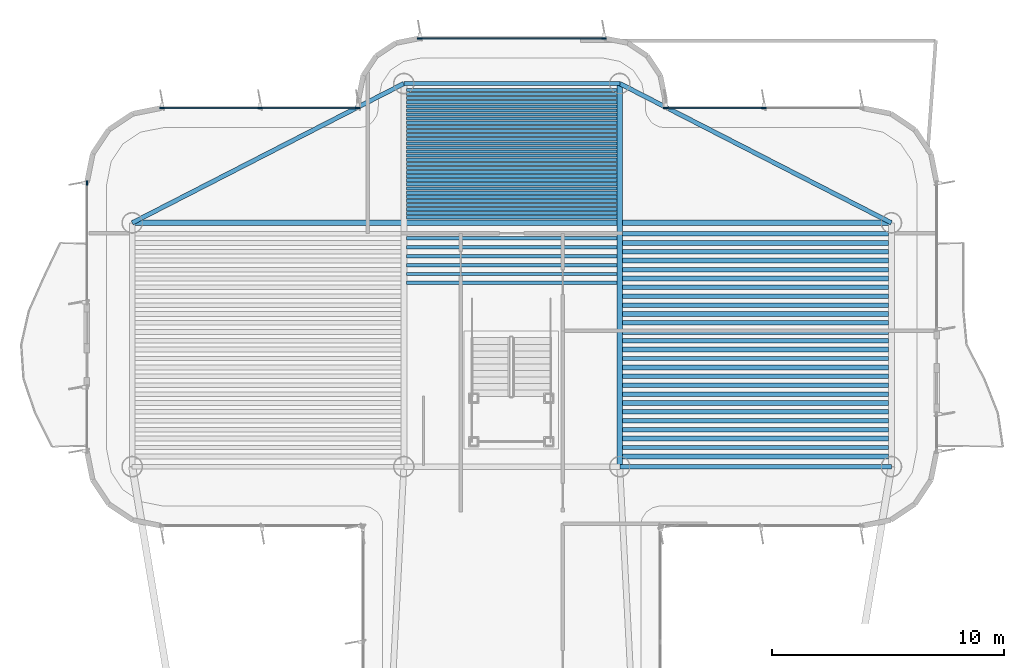
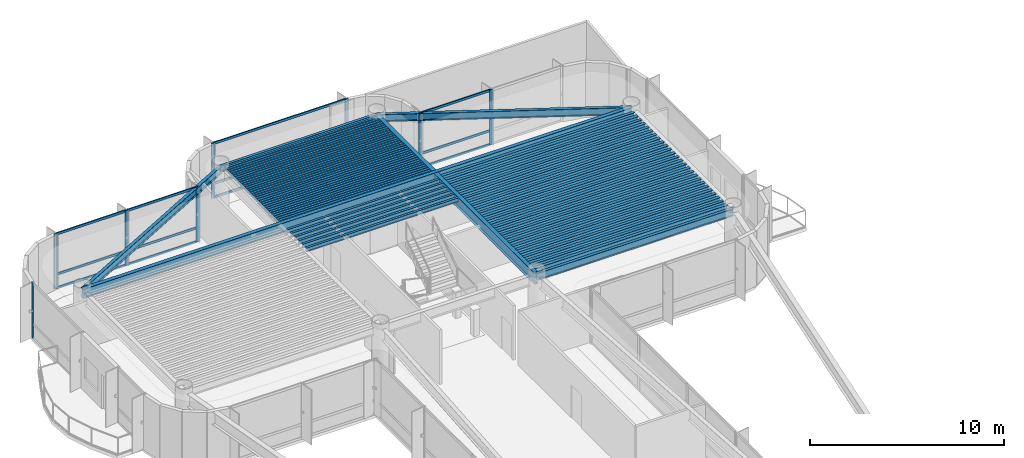
# One storey, part 7 of 17: 70 beams, 20 members, 4 elements without a shape of their own.
"""IFC4 building model written with IfcOpenShell, lengths in metres."""

from ifc_helpers import new_model, si_unit, direction, frame, origin, origin_2d, place, context, subcontext, project, spatial, rectangle, i_section, extrude, source, transform, mapped, material, layer, layer_set, material_profile, profile_set, type_object, element, aggregate, save


model = new_model("IFC4")

# Units and contexts
model_context = context("Model", 3, precision=1e-05, world=origin(), true_north=direction((0.0, 1.0)))
body_context = subcontext(model_context, "Body", "Model", "MODEL_VIEW")
ifc_project = project(units=[si_unit("LENGTHUNIT", "METRE"), si_unit("AREAUNIT", "SQUARE_METRE"), si_unit("VOLUMEUNIT", "CUBIC_METRE"), si_unit("PLANEANGLEUNIT", "RADIAN"), si_unit("MASSUNIT", "GRAM", prefix="KILO")], contexts=[model_context])

# Site, building, storey
site_placement = place(None, origin())
site = spatial("IfcSite", under=ifc_project, at=site_placement, CompositionType="ELEMENT")
building_placement = place(site_placement, origin())
building = spatial("IfcBuilding", under=site, at=building_placement, Name="Brelvock Crest Care Tower", CompositionType="ELEMENT")
storey_placement = place(building_placement, frame((0.0, 0.0, 287.280029296875)))
storey = spatial("IfcBuildingStorey", under=building, at=storey_placement, Name="L73", CompositionType="ELEMENT", Elevation=287.280029296875)

# Beams
ifc_material_1 = material(Name="Steel Grade 350", Category="steel")
ifc_material_profile_1 = material_profile(ifc_material_1, i_section(OverallWidth=0.177978515625, OverallDepth=0.406005859375, WebThickness=0.0078125, FlangeThickness=0.0126953125, FilletRadius=0.011474609375, at=origin_2d()), Name="410UB59.7")
ifc_profile_set_1 = profile_set([ifc_material_profile_1], Name="Steel Grade 350")
beam_type_1 = type_object("IfcBeamType", Name="BM-SP1", PredefinedType="SPANDREL", material=ifc_profile_set_1)
shared_shape_1 = source(origin(), body_context, "Body", "SweptSolid", [
    extrude(i_section(OverallWidth=0.177978515625, OverallDepth=0.406005859375, WebThickness=0.0078125, FlangeThickness=0.0126953125, FilletRadius=0.011474609375, at=origin_2d()), origin(), (0.0, 0.0, 1.0), 9.2998046875),
])
beam_1_placement = place(storey_placement, frame((31.35009765625, 60.449951171875, 3.257080078125), z_axis=(1.0, 0.0, 0.0), x_axis=(0.0, 1.0, 0.0)))
element("IfcBeam", 1, at=beam_1_placement, inside=storey, type_object=beam_type_1, Name="BM-TWR-L73-08", PredefinedType="SPANDREL", context=body_context, shape_type="MappedRepresentation", body=[
    mapped(shared_shape_1, transform((0.0, 0.0, 0.0), x_axis=(1.0, 0.0, 0.0), y_axis=(0.0, 1.0, 0.0), z_axis=(0.0, 0.0, 1.0), scale=1.0)),
])
ifc_material_profile_2 = material_profile(ifc_material_1, i_section(OverallWidth=0.14599609375, OverallDepth=0.256103515625, WebThickness=0.00634765625, FlangeThickness=0.010986328125, FilletRadius=0.0087890625, at=origin_2d()), Name="250UB37.3")
ifc_profile_set_2 = profile_set([ifc_material_profile_2], Name="Steel Grade 350")
beam_type_2 = type_object("IfcBeamType", Name="BM-J3", PredefinedType="JOIST", material=ifc_profile_set_2)
shared_shape_2 = source(origin(), body_context, "Body", "SweptSolid", [
    extrude(i_section(OverallWidth=0.14599609375, OverallDepth=0.256103515625, WebThickness=0.00634765625, FlangeThickness=0.010986328125, FilletRadius=0.0087890625, at=origin_2d()), origin(), (0.0, 0.0, 1.0), 9.06982421875),
])
for number, where, z_axis, x_axis, name in (
    (2, (31.465087890625, 51.864501953125, 3.33203125), (1.0, 0.0, 0.0), (0.0, 1.0, 0.0), "BM-JH-L73-20"),
    (3, (31.465087890625, 52.24755859375, 3.33203125), (1.0, 0.0, 0.0), (0.0, 1.0, 0.0), "BM-JH-L73-21"),
    (4, (31.465087890625, 52.630859375, 3.33203125), (1.0, 0.0, 0.0), (0.0, 1.0, 0.0), "BM-JH-L73-22"),
    (5, (31.465087890625, 53.01416015625, 3.33203125), (1.0, 0.0, 0.0), (0.0, 1.0, 0.0), "BM-JH-L73-23"),
    (6, (31.465087890625, 53.3974609375, 3.33203125), (1.0, 0.0, 0.0), (0.0, 1.0, 0.0), "BM-JH-L73-24"),
    (7, (31.465087890625, 53.780517578125, 3.33203125), (1.0, 0.0, 0.0), (0.0, 1.0, 0.0), "BM-JH-L73-25"),
    (8, (31.465087890625, 54.68994140625, 3.33203125), (1.0, 0.0, 0.0), (0.0, 1.0, 0.0), "BM-JN-L73-1"),
    (9, (31.465087890625, 54.866943359375, 3.33203125), (1.0, 0.0, 0.0), (0.0, 1.0, 0.0), "BM-JN-L73-2"),
    (10, (31.465087890625, 55.0439453125, 3.33203125), (1.0, 0.0, 0.0), (0.0, 1.0, 0.0), "BM-JN-L73-3"),
    (11, (31.465087890625, 55.220947265625, 3.33203125), (1.0, 0.0, 0.0), (0.0, 1.0, 0.0), "BM-JN-L73-4"),
    (12, (31.465087890625, 55.39794921875, 3.33203125), (1.0, 0.0, 0.0), (0.0, 1.0, 0.0), "BM-JN-L73-5"),
    (13, (31.465087890625, 55.574951171875, 3.33203125), (1.0, 0.0, 0.0), (0.0, 1.0, 0.0), "BM-JN-L73-6"),
    (14, (31.465087890625, 55.751953125, 3.33203125), (1.0, 0.0, 0.0), (0.0, 1.0, 0.0), "BM-JN-L73-7"),
    (15, (31.465087890625, 55.928955078125, 3.33203125), (1.0, 0.0, 0.0), (0.0, 1.0, 0.0), "BM-JN-L73-8"),
    (16, (31.465087890625, 56.10595703125, 3.33203125), (1.0, 0.0, 0.0), (0.0, 1.0, 0.0), "BM-JN-L73-9"),
    (17, (31.465087890625, 56.282958984375, 3.33203125), (1.0, 0.0, 0.0), (0.0, 1.0, 0.0), "BM-JN-L73-10"),
    (18, (31.465087890625, 56.4599609375, 3.33203125), (1.0, 0.0, 0.0), (0.0, 1.0, 0.0), "BM-JN-L73-11"),
    (19, (31.465087890625, 56.636962890625, 3.33203125), (1.0, 0.0, 0.0), (0.0, 1.0, 0.0), "BM-JN-L73-12"),
    (20, (31.465087890625, 56.81396484375, 3.33203125), (1.0, 0.0, 0.0), (0.0, 1.0, 0.0), "BM-JN-L73-13"),
):
    element("IfcBeam", number, at=place(storey_placement, frame(where, z_axis=z_axis, x_axis=x_axis)), inside=storey, type_object=beam_type_2, Name=name, PredefinedType="JOIST", context=body_context, shape_type="MappedRepresentation", body=[
        mapped(shared_shape_2, transform((0.0, 0.0, 0.0), x_axis=(1.0, 0.0, 0.0), y_axis=(0.0, 1.0, 0.0), z_axis=(0.0, 0.0, 1.0), scale=1.0)),
    ])
ifc_material_profile_3 = material_profile(ifc_material_1, i_section(OverallWidth=0.134033203125, OverallDepth=0.20703125, WebThickness=0.00634765625, FlangeThickness=0.009521484375, FilletRadius=0.0087890625, at=origin_2d()), Name="200UB29.8")
ifc_profile_set_3 = profile_set([ifc_material_profile_3], Name="Steel Grade 350")
beam_type_3 = type_object("IfcBeamType", Name="BM-J4", PredefinedType="JOIST", material=ifc_profile_set_3)
shared_shape_3 = source(origin(), body_context, "Body", "SweptSolid", [
    extrude(i_section(OverallWidth=0.134033203125, OverallDepth=0.20703125, WebThickness=0.00634765625, FlangeThickness=0.009521484375, FilletRadius=0.0087890625, at=origin_2d()), origin(), (0.0, 0.0, 1.0), 9.06982421875),
])
for number, where, z_axis, x_axis, name in (
    (21, (31.465087890625, 56.990966796875, 3.3564453125), (1.0, 0.0, 0.0), (0.0, 1.0, 0.0), "BM-JN-L73-14"),
    (22, (31.465087890625, 57.16796875, 3.3564453125), (1.0, 0.0, 0.0), (0.0, 1.0, 0.0), "BM-JN-L73-15"),
    (23, (31.465087890625, 57.344970703125, 3.3564453125), (1.0, 0.0, 0.0), (0.0, 1.0, 0.0), "BM-JN-L73-16"),
    (24, (31.465087890625, 57.52197265625, 3.3564453125), (1.0, 0.0, 0.0), (0.0, 1.0, 0.0), "BM-JN-L73-17"),
    (25, (31.465087890625, 57.698974609375, 3.3564453125), (1.0, 0.0, 0.0), (0.0, 1.0, 0.0), "BM-JN-L73-18"),
    (26, (31.465087890625, 57.8759765625, 3.3564453125), (1.0, 0.0, 0.0), (0.0, 1.0, 0.0), "BM-JN-L73-19"),
    (27, (31.465087890625, 58.052978515625, 3.3564453125), (1.0, 0.0, 0.0), (0.0, 1.0, 0.0), "BM-JN-L73-20"),
    (28, (31.465087890625, 58.22998046875, 3.3564453125), (1.0, 0.0, 0.0), (0.0, 1.0, 0.0), "BM-JN-L73-21"),
    (29, (31.465087890625, 58.406982421875, 3.3564453125), (1.0, 0.0, 0.0), (0.0, 1.0, 0.0), "BM-JN-L73-22"),
    (30, (31.465087890625, 58.583984375, 3.3564453125), (1.0, 0.0, 0.0), (0.0, 1.0, 0.0), "BM-JN-L73-23"),
    (31, (31.465087890625, 58.760986328125, 3.3564453125), (1.0, 0.0, 0.0), (0.0, 1.0, 0.0), "BM-JN-L73-24"),
    (32, (31.465087890625, 58.93798828125, 3.3564453125), (1.0, 0.0, 0.0), (0.0, 1.0, 0.0), "BM-JN-L73-25"),
    (33, (31.465087890625, 59.114990234375, 3.3564453125), (1.0, 0.0, 0.0), (0.0, 1.0, 0.0), "BM-JN-L73-26"),
    (34, (31.465087890625, 59.2919921875, 3.3564453125), (1.0, 0.0, 0.0), (0.0, 1.0, 0.0), "BM-JN-L73-27"),
    (35, (31.465087890625, 59.468994140625, 3.3564453125), (1.0, 0.0, 0.0), (0.0, 1.0, 0.0), "BM-JN-L73-28"),
    (36, (31.465087890625, 59.64599609375, 3.3564453125), (1.0, 0.0, 0.0), (0.0, 1.0, 0.0), "BM-JN-L73-29"),
    (37, (31.465087890625, 59.822998046875, 3.3564453125), (1.0, 0.0, 0.0), (0.0, 1.0, 0.0), "BM-JN-L73-30"),
    (38, (31.465087890625, 60.0, 3.3564453125), (1.0, 0.0, 0.0), (0.0, 1.0, 0.0), "BM-JN-L73-31"),
    (39, (31.465087890625, 60.177001953125, 3.3564453125), (1.0, 0.0, 0.0), (0.0, 1.0, 0.0), "BM-JN-L73-32"),
):
    element("IfcBeam", number, at=place(storey_placement, frame(where, z_axis=z_axis, x_axis=x_axis)), inside=storey, type_object=beam_type_3, Name=name, PredefinedType="JOIST", context=body_context, shape_type="MappedRepresentation", body=[
        mapped(shared_shape_3, transform((0.0, 0.0, 0.0), x_axis=(1.0, 0.0, 0.0), y_axis=(0.0, 1.0, 0.0), z_axis=(0.0, 0.0, 1.0), scale=1.0)),
    ])
ifc_material_profile_4 = material_profile(ifc_material_1, i_section(OverallWidth=0.19091796875, OverallDepth=0.4599609375, WebThickness=0.010009765625, FlangeThickness=0.01611328125, FilletRadius=0.011474609375, at=origin_2d()), Name="460UB82.1")
ifc_profile_set_4 = profile_set([ifc_material_profile_4], Name="Steel Grade 350")
beam_type_4 = type_object("IfcBeamType", Name="BM-G3", PredefinedType="BEAM", material=ifc_profile_set_4)
shared_shape_4 = source(origin(), body_context, "Body", "SweptSolid", [
    extrude(i_section(OverallWidth=0.19091796875, OverallDepth=0.4599609375, WebThickness=0.010009765625, FlangeThickness=0.01611328125, FilletRadius=0.011474609375, at=origin_2d()), origin(), (0.0, 0.0, 1.0), 11.47021484375),
])
for number, where, z_axis, x_axis, name in (
    (40, (40.764892578125, 44.7744140625, 3.22998046875), (1.0, 0.0, 0.0), (0.0, 1.0, 0.0), "BM-JE-L73-2"),
    (41, (40.764892578125, 45.540771484375, 3.22998046875), (1.0, 0.0, 0.0), (0.0, 1.0, 0.0), "BM-JE-L73-4"),
    (42, (40.764892578125, 46.307373046875, 3.22998046875), (1.0, 0.0, 0.0), (0.0, 1.0, 0.0), "BM-JE-L73-6"),
    (43, (40.764892578125, 47.07373046875, 3.22998046875), (1.0, 0.0, 0.0), (0.0, 1.0, 0.0), "BM-JE-L73-8"),
    (44, (40.764892578125, 47.84033203125, 3.22998046875), (1.0, 0.0, 0.0), (0.0, 1.0, 0.0), "BM-JE-L73-10"),
    (45, (40.764892578125, 48.606689453125, 3.22998046875), (1.0, 0.0, 0.0), (0.0, 1.0, 0.0), "BM-JE-L73-12"),
    (46, (40.764892578125, 49.373291015625, 3.22998046875), (1.0, 0.0, 0.0), (0.0, 1.0, 0.0), "BM-JE-L73-14"),
    (47, (40.764892578125, 50.139892578125, 3.22998046875), (1.0, 0.0, 0.0), (0.0, 1.0, 0.0), "BM-JE-L73-16"),
    (48, (40.764892578125, 50.90625, 3.22998046875), (1.0, 0.0, 0.0), (0.0, 1.0, 0.0), "BM-JE-L73-18"),
    (49, (40.764892578125, 51.6728515625, 3.22998046875), (1.0, 0.0, 0.0), (0.0, 1.0, 0.0), "BM-JE-L73-20"),
    (50, (40.764892578125, 52.439208984375, 3.22998046875), (1.0, 0.0, 0.0), (0.0, 1.0, 0.0), "BM-JE-L73-22"),
    (51, (40.764892578125, 53.205810546875, 3.22998046875), (1.0, 0.0, 0.0), (0.0, 1.0, 0.0), "BM-JE-L73-24"),
    (52, (40.764892578125, 53.972412109375, 3.22998046875), (1.0, 0.0, 0.0), (0.0, 1.0, 0.0), "BM-JE-L73-26"),
):
    element("IfcBeam", number, at=place(storey_placement, frame(where, z_axis=z_axis, x_axis=x_axis)), inside=storey, type_object=beam_type_4, Name=name, PredefinedType="BEAM", context=body_context, shape_type="MappedRepresentation", body=[
        mapped(shared_shape_4, transform((0.0, 0.0, 0.0), x_axis=(1.0, 0.0, 0.0), y_axis=(0.0, 1.0, 0.0), z_axis=(0.0, 0.0, 1.0), scale=1.0)),
    ])
ifc_material_profile_5 = material_profile(ifc_material_1, i_section(OverallWidth=0.208984375, OverallDepth=0.532958984375, WebThickness=0.01025390625, FlangeThickness=0.015625, FilletRadius=0.013916015625, at=origin_2d()), Name="530UB92.4")
ifc_profile_set_5 = profile_set([ifc_material_profile_5], Name="Steel Grade 350")
beam_type_5 = type_object("IfcBeamType", Name="BM-G2", PredefinedType="BEAM", material=ifc_profile_set_5)
shared_shape_5 = source(origin(), body_context, "Body", "SweptSolid", [
    extrude(i_section(OverallWidth=0.208984375, OverallDepth=0.532958984375, WebThickness=0.01025390625, FlangeThickness=0.015625, FilletRadius=0.013916015625, at=origin_2d()), origin(), (0.0, 0.0, 1.0), 11.47021484375),
])
for number, where, z_axis, x_axis, name in (
    (53, (40.764892578125, 44.39111328125, 3.193359375), (1.0, 0.0, 0.0), (0.0, 1.0, 0.0), "BM-JE-L73-1"),
    (54, (40.764892578125, 45.157470703125, 3.193359375), (1.0, 0.0, 0.0), (0.0, 1.0, 0.0), "BM-JE-L73-3"),
    (55, (40.764892578125, 45.924072265625, 3.193359375), (1.0, 0.0, 0.0), (0.0, 1.0, 0.0), "BM-JE-L73-5"),
    (56, (40.764892578125, 46.6904296875, 3.193359375), (1.0, 0.0, 0.0), (0.0, 1.0, 0.0), "BM-JE-L73-7"),
    (57, (40.764892578125, 47.45703125, 3.193359375), (1.0, 0.0, 0.0), (0.0, 1.0, 0.0), "BM-JE-L73-9"),
    (58, (40.764892578125, 48.223388671875, 3.193359375), (1.0, 0.0, 0.0), (0.0, 1.0, 0.0), "BM-JE-L73-11"),
    (59, (40.764892578125, 48.989990234375, 3.193359375), (1.0, 0.0, 0.0), (0.0, 1.0, 0.0), "BM-JE-L73-13"),
    (60, (40.764892578125, 49.756591796875, 3.193359375), (1.0, 0.0, 0.0), (0.0, 1.0, 0.0), "BM-JE-L73-15"),
    (61, (40.764892578125, 50.52294921875, 3.193359375), (1.0, 0.0, 0.0), (0.0, 1.0, 0.0), "BM-JE-L73-17"),
    (62, (40.764892578125, 51.28955078125, 3.193359375), (1.0, 0.0, 0.0), (0.0, 1.0, 0.0), "BM-JE-L73-19"),
    (63, (40.764892578125, 52.055908203125, 3.193359375), (1.0, 0.0, 0.0), (0.0, 1.0, 0.0), "BM-JE-L73-21"),
    (64, (40.764892578125, 52.822509765625, 3.193359375), (1.0, 0.0, 0.0), (0.0, 1.0, 0.0), "BM-JE-L73-23"),
    (65, (40.764892578125, 53.589111328125, 3.193359375), (1.0, 0.0, 0.0), (0.0, 1.0, 0.0), "BM-JE-L73-25"),
):
    element("IfcBeam", number, at=place(storey_placement, frame(where, z_axis=z_axis, x_axis=x_axis)), inside=storey, type_object=beam_type_5, Name=name, PredefinedType="BEAM", context=body_context, shape_type="MappedRepresentation", body=[
        mapped(shared_shape_5, transform((0.0, 0.0, 0.0), x_axis=(1.0, 0.0, 0.0), y_axis=(0.0, 1.0, 0.0), z_axis=(0.0, 0.0, 1.0), scale=1.0)),
    ])
ifc_material_profile_6 = material_profile(ifc_material_1, i_section(OverallWidth=0.19091796875, OverallDepth=0.4599609375, WebThickness=0.010009765625, FlangeThickness=0.01611328125, FilletRadius=0.011474609375, at=origin_2d()), Name="460UB82.1")
ifc_profile_set_6 = profile_set([ifc_material_profile_6], Name="Steel Grade 350")
beam_type_6 = type_object("IfcBeamType", Name="BM-SP2", PredefinedType="SPANDREL", material=ifc_profile_set_6)
shared_shape_6 = source(origin(), body_context, "Body", "SweptSolid", [
    extrude(i_section(OverallWidth=0.19091796875, OverallDepth=0.4599609375, WebThickness=0.010009765625, FlangeThickness=0.01611328125, FilletRadius=0.011474609375, at=origin_2d()), origin(), (0.0, 0.0, 1.0), 11.7001953125),
])
beam_2_placement = place(storey_placement, frame((40.64990234375, 43.949951171875, 3.22998046875), z_axis=(1.0, 0.0, 0.0), x_axis=(0.0, 1.0, 0.0)))
element("IfcBeam", 66, at=beam_2_placement, inside=storey, type_object=beam_type_6, Name="BM-TWR-L73-04", PredefinedType="SPANDREL", context=body_context, shape_type="MappedRepresentation", body=[
    mapped(shared_shape_6, transform((0.0, 0.0, 0.0), x_axis=(1.0, 0.0, 0.0), y_axis=(0.0, 1.0, 0.0), z_axis=(0.0, 0.0, 1.0), scale=1.0)),
])
shared_shape_7 = source(origin(), body_context, "Body", "SweptSolid", [
    extrude(i_section(OverallWidth=0.19091796875, OverallDepth=0.4599609375, WebThickness=0.010009765625, FlangeThickness=0.01611328125, FilletRadius=0.011474609375, at=origin_2d()), origin(), (0.0, 0.0, 1.0), 13.14892578125),
])
for number, where, z_axis, x_axis, name in (
    (67, (19.64990234375, 54.449951171875, 3.22998046875), (0.889820555736, 0.456310616346, 0.0), (-0.456310616346, 0.889820555736, 0.0), "BM-TWR-L73-06"),
    (68, (40.64990234375, 60.449951171875, 3.22998046875), (0.889820555736, -0.456310616346, 0.0), (0.456310616346, 0.889820555736, 0.0), "BM-TWR-L73-07"),
):
    element("IfcBeam", number, at=place(storey_placement, frame(where, z_axis=z_axis, x_axis=x_axis)), inside=storey, type_object=beam_type_6, Name=name, PredefinedType="SPANDREL", context=body_context, shape_type="MappedRepresentation", body=[
        mapped(shared_shape_7, transform((0.0, 0.0, 0.0), x_axis=(1.0, 0.0, 0.0), y_axis=(0.0, 1.0, 0.0), z_axis=(0.0, 0.0, 1.0), scale=1.0)),
    ])
ifc_material_profile_7 = material_profile(ifc_material_1, i_section(OverallWidth=0.25, OverallDepth=0.699951171875, WebThickness=0.011962890625, FlangeThickness=0.02001953125, at=origin_2d()), Name="700WB150")
ifc_profile_set_7 = profile_set([ifc_material_profile_7], Name="Steel Grade 350")
beam_type_7 = type_object("IfcBeamType", Name="BM-G4", PredefinedType="BEAM", material=ifc_profile_set_7)
shared_shape_8 = source(origin(), body_context, "Body", "SweptSolid", [
    extrude(i_section(OverallWidth=0.25, OverallDepth=0.699951171875, WebThickness=0.011962890625, FlangeThickness=0.02001953125, at=origin_2d()), origin(), (0.0, 0.0, 1.0), 16.5),
])
beam_3_placement = place(storey_placement, frame((40.64990234375, 43.949951171875, 3.10986328125), z_axis=(0.0, 1.0, 0.0), x_axis=(-1.0, 0.0, 0.0)))
element("IfcBeam", 69, at=beam_3_placement, inside=storey, type_object=beam_type_7, Name="BM-TWR-L73-10", PredefinedType="BEAM", context=body_context, shape_type="MappedRepresentation", body=[
    mapped(shared_shape_8, transform((0.0, 0.0, 0.0), x_axis=(1.0, 0.0, 0.0), y_axis=(0.0, 1.0, 0.0), z_axis=(0.0, 0.0, 1.0), scale=1.0)),
])
ifc_material_profile_8 = material_profile(ifc_material_1, i_section(OverallWidth=0.22900390625, OverallDepth=0.612060546875, WebThickness=0.011962890625, FlangeThickness=0.01953125, FilletRadius=0.013916015625, at=origin_2d()), Name="610UB125")
ifc_profile_set_8 = profile_set([ifc_material_profile_8], Name="Steel Grade 350")
beam_type_8 = type_object("IfcBeamType", Name="BM-G1", PredefinedType="BEAM", material=ifc_profile_set_8)
shared_shape_9 = source(origin(), body_context, "Body", "SweptSolid", [
    extrude(i_section(OverallWidth=0.22900390625, OverallDepth=0.612060546875, WebThickness=0.011962890625, FlangeThickness=0.01953125, FilletRadius=0.013916015625, at=origin_2d()), origin(), (0.0, 0.0, 1.0), 32.7001953125),
])
beam_4_placement = place(storey_placement, frame((19.64990234375, 54.449951171875, 3.154052734375), z_axis=(1.0, 0.0, 0.0), x_axis=(0.0, 1.0, 0.0)))
element("IfcBeam", 70, at=beam_4_placement, inside=storey, type_object=beam_type_8, Name="BM-TWR-L73-11", PredefinedType="BEAM", context=body_context, shape_type="MappedRepresentation", body=[
    mapped(shared_shape_9, transform((0.0, 0.0, 0.0), x_axis=(1.0, 0.0, 0.0), y_axis=(0.0, 1.0, 0.0), z_axis=(0.0, 0.0, 1.0), scale=1.0)),
])

# Curtain wall, members
ifc_material_2 = material(Name="Dark Glass Double Glazed Low-E", Category="glass")
ifc_layer = layer(ifc_material_2, 0.2548828125, Name="CWS-6")
ifc_layer_set = layer_set([ifc_layer], Name="Dark Glass Double Glazed Low-E")
curtain_wall_type = type_object("IfcCurtainWallType", Name="CWS-6", PredefinedType="NOTDEFINED", material=ifc_layer_set)
curtain_wall_1_placement = place(storey_placement, origin())
curtain_wall_1 = element("IfcCurtainWall", 71, at=curtain_wall_1_placement, inside=storey, type_object=curtain_wall_type, Name="L73 Curtain Wall E22", PredefinedType="NOTDEFINED")
ifc_material_3 = material(Name="Aluminium 6063-T6", Category="aluminium")
ifc_material_profile_9 = material_profile(ifc_material_3, rectangle(XDim=0.06494140625, YDim=0.14990234375, at=origin_2d()), Name="ALU65x150")
ifc_profile_set_9 = profile_set([ifc_material_profile_9], Name="Aluminium 6063-T6")
member_type_1 = type_object("IfcMemberType", Name="CWT-1", PredefinedType="USERDEFINED", material=ifc_profile_set_9)
shared_shape_10 = source(origin(), body_context, "Body", "SweptSolid", [
    extrude(rectangle(XDim=0.06494140625, YDim=0.14990234375, at=origin_2d()), origin(), (0.0, 0.0, 1.0), 4.15234375),
])
member_1_placement = place(storey_placement, frame((20.965087890625, 59.39990234375, 0.032470703125), z_axis=(1.0, 0.0, 0.0), x_axis=(0.0, 1.0, 0.0)))
member_1 = element("IfcMember", 72, at=member_1_placement, type_object=member_type_1, Name="CW-6 transom 1.1", ObjectType="TRANSOM", PredefinedType="USERDEFINED", context=body_context, shape_type="MappedRepresentation", body=[
    mapped(shared_shape_10, transform((0.0, 0.0, 0.0), x_axis=(1.0, 0.0, 0.0), y_axis=(0.0, 1.0, 0.0), z_axis=(0.0, 0.0, 1.0), scale=1.0)),
])
member_2_placement = place(storey_placement, frame((20.965087890625, 59.39990234375, 0.89990234375), z_axis=(1.0, 0.0, 0.0), x_axis=(0.0, 1.0, 0.0)))
member_2 = element("IfcMember", 73, at=member_2_placement, type_object=member_type_1, Name="CW-6 transom 1.2", ObjectType="TRANSOM", PredefinedType="USERDEFINED", context=body_context, shape_type="MappedRepresentation", body=[
    mapped(shared_shape_10, transform((0.0, 0.0, 0.0), x_axis=(1.0, 0.0, 0.0), y_axis=(0.0, 1.0, 0.0), z_axis=(0.0, 0.0, 1.0), scale=1.0)),
])
member_3_placement = place(storey_placement, frame((20.965087890625, 59.39990234375, 3.427490234375), z_axis=(1.0, 0.0, 0.0), x_axis=(0.0, 1.0, 0.0)))
member_3 = element("IfcMember", 74, at=member_3_placement, type_object=member_type_1, Name="CW-6 transom 1.3", ObjectType="TRANSOM", PredefinedType="USERDEFINED", context=body_context, shape_type="MappedRepresentation", body=[
    mapped(shared_shape_10, transform((0.0, 0.0, 0.0), x_axis=(1.0, 0.0, 0.0), y_axis=(0.0, 1.0, 0.0), z_axis=(0.0, 0.0, 1.0), scale=1.0)),
])
member_4_placement = place(storey_placement, frame((25.1826171875, 59.39990234375, 0.032470703125), z_axis=(1.0, 0.0, 0.0), x_axis=(0.0, 1.0, 0.0)))
member_4 = element("IfcMember", 75, at=member_4_placement, type_object=member_type_1, Name="CW-6 transom 2.1", ObjectType="TRANSOM", PredefinedType="USERDEFINED", context=body_context, shape_type="MappedRepresentation", body=[
    mapped(shared_shape_10, transform((0.0, 0.0, 0.0), x_axis=(1.0, 0.0, 0.0), y_axis=(0.0, 1.0, 0.0), z_axis=(0.0, 0.0, 1.0), scale=1.0)),
])
member_5_placement = place(storey_placement, frame((25.1826171875, 59.39990234375, 0.89990234375), z_axis=(1.0, 0.0, 0.0), x_axis=(0.0, 1.0, 0.0)))
member_5 = element("IfcMember", 76, at=member_5_placement, type_object=member_type_1, Name="CW-6 transom 2.2", ObjectType="TRANSOM", PredefinedType="USERDEFINED", context=body_context, shape_type="MappedRepresentation", body=[
    mapped(shared_shape_10, transform((0.0, 0.0, 0.0), x_axis=(1.0, 0.0, 0.0), y_axis=(0.0, 1.0, 0.0), z_axis=(0.0, 0.0, 1.0), scale=1.0)),
])
member_6_placement = place(storey_placement, frame((25.1826171875, 59.39990234375, 3.427490234375), z_axis=(1.0, 0.0, 0.0), x_axis=(0.0, 1.0, 0.0)))
member_6 = element("IfcMember", 77, at=member_6_placement, type_object=member_type_1, Name="CW-6 transom 2.3", ObjectType="TRANSOM", PredefinedType="USERDEFINED", context=body_context, shape_type="MappedRepresentation", body=[
    mapped(shared_shape_10, transform((0.0, 0.0, 0.0), x_axis=(1.0, 0.0, 0.0), y_axis=(0.0, 1.0, 0.0), z_axis=(0.0, 0.0, 1.0), scale=1.0)),
])

curtain_wall_2_placement = place(storey_placement, origin())
curtain_wall_2 = element("IfcCurtainWall", 78, at=curtain_wall_2_placement, inside=storey, type_object=curtain_wall_type, Name="L73 Curtain Wall E34", PredefinedType="NOTDEFINED")
member_7_placement = place(storey_placement, frame((42.6650390625, 59.39990234375, 0.032470703125), z_axis=(1.0, 0.0, 0.0), x_axis=(0.0, 1.0, 0.0)))
member_7 = element("IfcMember", 79, at=member_7_placement, type_object=member_type_1, Name="CW-6 transom 1.1", ObjectType="TRANSOM", PredefinedType="USERDEFINED", context=body_context, shape_type="MappedRepresentation", body=[
    mapped(shared_shape_10, transform((0.0, 0.0, 0.0), x_axis=(1.0, 0.0, 0.0), y_axis=(0.0, 1.0, 0.0), z_axis=(0.0, 0.0, 1.0), scale=1.0)),
])
member_8_placement = place(storey_placement, frame((42.6650390625, 59.39990234375, 0.89990234375), z_axis=(1.0, 0.0, 0.0), x_axis=(0.0, 1.0, 0.0)))
member_8 = element("IfcMember", 80, at=member_8_placement, type_object=member_type_1, Name="CW-6 transom 1.2", ObjectType="TRANSOM", PredefinedType="USERDEFINED", context=body_context, shape_type="MappedRepresentation", body=[
    mapped(shared_shape_10, transform((0.0, 0.0, 0.0), x_axis=(1.0, 0.0, 0.0), y_axis=(0.0, 1.0, 0.0), z_axis=(0.0, 0.0, 1.0), scale=1.0)),
])
member_9_placement = place(storey_placement, frame((42.6650390625, 59.39990234375, 3.427490234375), z_axis=(1.0, 0.0, 0.0), x_axis=(0.0, 1.0, 0.0)))
member_9 = element("IfcMember", 81, at=member_9_placement, type_object=member_type_1, Name="CW-6 transom 1.3", ObjectType="TRANSOM", PredefinedType="USERDEFINED", context=body_context, shape_type="MappedRepresentation", body=[
    mapped(shared_shape_10, transform((0.0, 0.0, 0.0), x_axis=(1.0, 0.0, 0.0), y_axis=(0.0, 1.0, 0.0), z_axis=(0.0, 0.0, 1.0), scale=1.0)),
])

curtain_wall_3_placement = place(storey_placement, origin())
curtain_wall_3 = element("IfcCurtainWall", 82, at=curtain_wall_3_placement, inside=storey, type_object=curtain_wall_type, Name="L73 Curtain Wall E28", PredefinedType="NOTDEFINED")
shared_shape_11 = source(origin(), body_context, "Body", "SweptSolid", [
    extrude(rectangle(XDim=0.06494140625, YDim=0.14990234375, at=origin_2d()), origin(), (0.0, 0.0, 1.0), 7.8701171875),
])
member_10_placement = place(storey_placement, frame((32.06494140625, 62.39990234375, 0.032470703125), z_axis=(1.0, 0.0, 0.0), x_axis=(0.0, 1.0, 0.0)))
member_10 = element("IfcMember", 83, at=member_10_placement, type_object=member_type_1, Name="CW-6 transom 1.1", ObjectType="TRANSOM", PredefinedType="USERDEFINED", context=body_context, shape_type="MappedRepresentation", body=[
    mapped(shared_shape_11, transform((0.0, 0.0, 0.0), x_axis=(1.0, 0.0, 0.0), y_axis=(0.0, 1.0, 0.0), z_axis=(0.0, 0.0, 1.0), scale=1.0)),
])
member_11_placement = place(storey_placement, frame((32.06494140625, 62.39990234375, 0.89990234375), z_axis=(1.0, 0.0, 0.0), x_axis=(0.0, 1.0, 0.0)))
member_11 = element("IfcMember", 84, at=member_11_placement, type_object=member_type_1, Name="CW-6 transom 1.2", ObjectType="TRANSOM", PredefinedType="USERDEFINED", context=body_context, shape_type="MappedRepresentation", body=[
    mapped(shared_shape_11, transform((0.0, 0.0, 0.0), x_axis=(1.0, 0.0, 0.0), y_axis=(0.0, 1.0, 0.0), z_axis=(0.0, 0.0, 1.0), scale=1.0)),
])
member_12_placement = place(storey_placement, frame((32.06494140625, 62.39990234375, 3.427490234375), z_axis=(1.0, 0.0, 0.0), x_axis=(0.0, 1.0, 0.0)))
member_12 = element("IfcMember", 85, at=member_12_placement, type_object=member_type_1, Name="CW-6 transom 1.3", ObjectType="TRANSOM", PredefinedType="USERDEFINED", context=body_context, shape_type="MappedRepresentation", body=[
    mapped(shared_shape_11, transform((0.0, 0.0, 0.0), x_axis=(1.0, 0.0, 0.0), y_axis=(0.0, 1.0, 0.0), z_axis=(0.0, 0.0, 1.0), scale=1.0)),
])

# Curtain wall, member
curtain_wall_4_placement = place(storey_placement, origin())
curtain_wall_4 = element("IfcCurtainWall", 86, at=curtain_wall_4_placement, inside=storey, type_object=curtain_wall_type, Name="L73 Curtain Wall E17B", PredefinedType="NOTDEFINED")
ifc_material_profile_10 = material_profile(ifc_material_3, rectangle(XDim=0.06494140625, YDim=0.199951171875, at=origin_2d()), Name="ALU65x200")
ifc_profile_set_10 = profile_set([ifc_material_profile_10], Name="Aluminium 6063-T6")
member_type_2 = type_object("IfcMemberType", Name="CWM-1", PredefinedType="MULLION", material=ifc_profile_set_10)
shared_shape_12 = source(origin(), body_context, "Body", "SweptSolid", [
    extrude(rectangle(XDim=0.06494140625, YDim=0.199951171875, at=origin_2d()), origin(), (0.0, 0.0, 1.0), 3.4599609375),
])
member_13_placement = place(storey_placement, frame((17.699951171875, 56.16748046875, 0.0), z_axis=(0.0, 0.0, 1.0), x_axis=(-1.0, 0.0, 0.0)))
member_13 = element("IfcMember", 87, at=member_13_placement, type_object=member_type_2, Name="CW-6 mullion 2", PredefinedType="MULLION", context=body_context, shape_type="MappedRepresentation", body=[
    mapped(shared_shape_12, transform((0.0, 0.0, 0.0), x_axis=(1.0, 0.0, 0.0), y_axis=(0.0, 1.0, 0.0), z_axis=(0.0, 0.0, 1.0), scale=1.0)),
])
aggregate(curtain_wall_4, [member_13])

# Member
member_14_placement = place(storey_placement, frame((20.9326171875, 59.39990234375, 0.0), z_axis=(0.0, 0.0, 1.0), x_axis=(0.0, 1.0, 0.0)))
member_14 = element("IfcMember", 88, at=member_14_placement, type_object=member_type_2, Name="CW-6 mullion 1", PredefinedType="MULLION", context=body_context, shape_type="MappedRepresentation", body=[
    mapped(shared_shape_12, transform((0.0, 0.0, 0.0), x_axis=(1.0, 0.0, 0.0), y_axis=(0.0, 1.0, 0.0), z_axis=(0.0, 0.0, 1.0), scale=1.0)),
])

member_15_placement = place(storey_placement, frame((25.14990234375, 59.39990234375, 0.0), z_axis=(0.0, 0.0, 1.0), x_axis=(0.0, 1.0, 0.0)))
member_15 = element("IfcMember", 89, at=member_15_placement, type_object=member_type_2, Name="CW-6 mullion 2", PredefinedType="MULLION", context=body_context, shape_type="MappedRepresentation", body=[
    mapped(shared_shape_12, transform((0.0, 0.0, 0.0), x_axis=(1.0, 0.0, 0.0), y_axis=(0.0, 1.0, 0.0), z_axis=(0.0, 0.0, 1.0), scale=1.0)),
])

member_16_placement = place(storey_placement, frame((29.367431640625, 59.39990234375, 0.0), z_axis=(0.0, 0.0, 1.0), x_axis=(0.0, 1.0, 0.0)))
member_16 = element("IfcMember", 90, at=member_16_placement, type_object=member_type_2, Name="CW-6 mullion 3", PredefinedType="MULLION", context=body_context, shape_type="MappedRepresentation", body=[
    mapped(shared_shape_12, transform((0.0, 0.0, 0.0), x_axis=(1.0, 0.0, 0.0), y_axis=(0.0, 1.0, 0.0), z_axis=(0.0, 0.0, 1.0), scale=1.0)),
])

aggregate(curtain_wall_1, [member_14, member_15, member_16, member_1, member_2, member_3, member_4, member_5, member_6])

member_17_placement = place(storey_placement, frame((32.032470703125, 62.39990234375, 0.0), z_axis=(0.0, 0.0, 1.0), x_axis=(0.0, 1.0, 0.0)))
member_17 = element("IfcMember", 91, at=member_17_placement, type_object=member_type_2, Name="CW-6 mullion 1", PredefinedType="MULLION", context=body_context, shape_type="MappedRepresentation", body=[
    mapped(shared_shape_12, transform((0.0, 0.0, 0.0), x_axis=(1.0, 0.0, 0.0), y_axis=(0.0, 1.0, 0.0), z_axis=(0.0, 0.0, 1.0), scale=1.0)),
])

member_18_placement = place(storey_placement, frame((39.967529296875, 62.39990234375, 0.0), z_axis=(0.0, 0.0, 1.0), x_axis=(0.0, 1.0, 0.0)))
member_18 = element("IfcMember", 92, at=member_18_placement, type_object=member_type_2, Name="CW-6 mullion 2", PredefinedType="MULLION", context=body_context, shape_type="MappedRepresentation", body=[
    mapped(shared_shape_12, transform((0.0, 0.0, 0.0), x_axis=(1.0, 0.0, 0.0), y_axis=(0.0, 1.0, 0.0), z_axis=(0.0, 0.0, 1.0), scale=1.0)),
])

aggregate(curtain_wall_3, [member_17, member_18, member_10, member_11, member_12])

member_19_placement = place(storey_placement, frame((42.632568359375, 59.39990234375, 0.0), z_axis=(0.0, 0.0, 1.0), x_axis=(0.0, 1.0, 0.0)))
member_19 = element("IfcMember", 93, at=member_19_placement, type_object=member_type_2, Name="CW-6 mullion 1", PredefinedType="MULLION", context=body_context, shape_type="MappedRepresentation", body=[
    mapped(shared_shape_12, transform((0.0, 0.0, 0.0), x_axis=(1.0, 0.0, 0.0), y_axis=(0.0, 1.0, 0.0), z_axis=(0.0, 0.0, 1.0), scale=1.0)),
])

member_20_placement = place(storey_placement, frame((46.85009765625, 59.39990234375, 0.0), z_axis=(0.0, 0.0, 1.0), x_axis=(0.0, 1.0, 0.0)))
member_20 = element("IfcMember", 94, at=member_20_placement, type_object=member_type_2, Name="CW-6 mullion 2", PredefinedType="MULLION", context=body_context, shape_type="MappedRepresentation", body=[
    mapped(shared_shape_12, transform((0.0, 0.0, 0.0), x_axis=(1.0, 0.0, 0.0), y_axis=(0.0, 1.0, 0.0), z_axis=(0.0, 0.0, 1.0), scale=1.0)),
])

aggregate(curtain_wall_2, [member_19, member_20, member_7, member_8, member_9])

save(model, "model.ifc")
